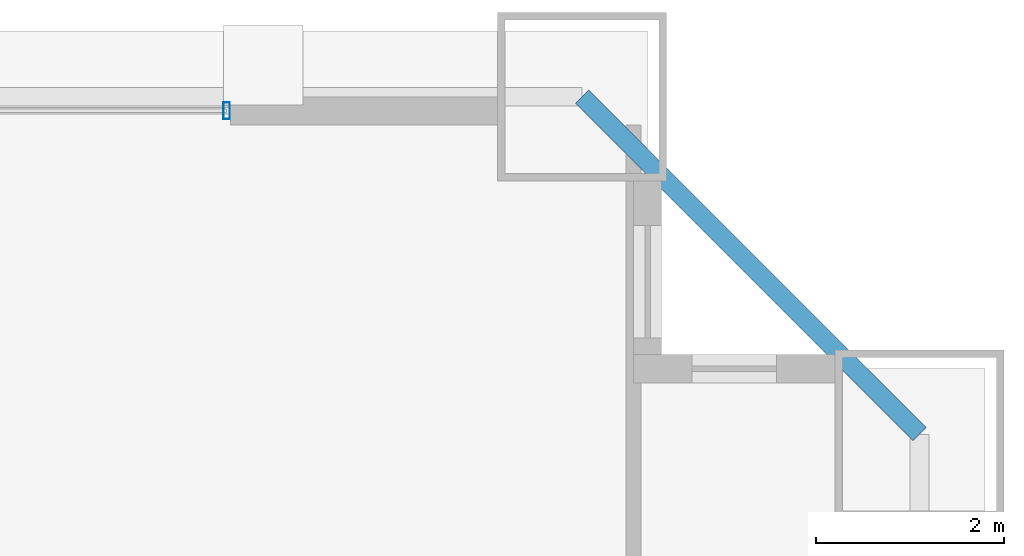
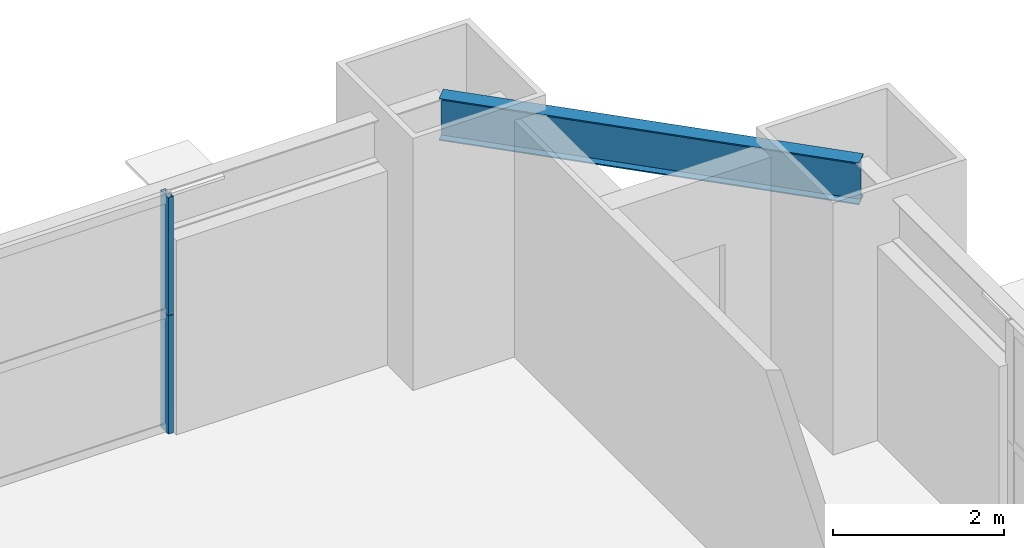
# One storey, part 37 of 43: 2 members, 1 beam, 1 element without a shape of its own.
"""IFC4 building model written with IfcOpenShell, lengths in metres."""

from ifc_helpers import new_model, si_unit, direction, frame, origin, origin_2d, place, context, subcontext, project, spatial, hollow_rectangle, i_section, extrude, source, transform, mapped, material, layer, layer_set, material_profile, profile_set, type_object, element, aggregate, save


model = new_model("IFC4")

# Units and contexts
model_context = context("Model", 3, precision=1e-05, world=origin(), true_north=direction((0.0, 1.0)))
body_context = subcontext(model_context, "Body", "Model", "MODEL_VIEW")
ifc_project = project(units=[si_unit("LENGTHUNIT", "METRE"), si_unit("AREAUNIT", "SQUARE_METRE"), si_unit("VOLUMEUNIT", "CUBIC_METRE"), si_unit("PLANEANGLEUNIT", "RADIAN"), si_unit("MASSUNIT", "GRAM", prefix="KILO"), si_unit("THERMODYNAMICTEMPERATUREUNIT", "KELVIN"), si_unit("POWERUNIT", "WATT")], contexts=[model_context])

# Site, building, storey
site_placement = place(None, origin())
site = spatial("IfcSite", under=ifc_project, at=site_placement, CompositionType="ELEMENT")
building_placement = place(site_placement, origin())
building = spatial("IfcBuilding", under=site, at=building_placement, Name="Yuzanri Waterfront Tower", CompositionType="ELEMENT")
storey_placement = place(building_placement, frame((0.0, 0.0, 78.39990234375)))
storey = spatial("IfcBuildingStorey", under=building, at=storey_placement, Name="L20", CompositionType="ELEMENT", Elevation=78.39990234375)

# Beam
ifc_material_1 = material(Name="Steel Q355B", Category="steel")
ifc_material_profile_1 = material_profile(ifc_material_1, i_section(OverallWidth=0.199951171875, OverallDepth=0.60009765625, WebThickness=0.010986328125, FlangeThickness=0.01708984375, at=origin_2d()), Name="HN 600x200x11x17")
ifc_profile_set_1 = profile_set([ifc_material_profile_1], Name="Steel Q355B")
beam_type = type_object("IfcBeamType", Name="Perimeter Spandrel Q355B HN 600x200", PredefinedType="SPANDREL", material=ifc_profile_set_1)
shared_shape_1 = source(origin(), body_context, "Body", "SweptSolid", [
    extrude(i_section(OverallWidth=0.199951171875, OverallDepth=0.60009765625, WebThickness=0.010986328125, FlangeThickness=0.01708984375, at=origin_2d()), origin(), (0.0, 0.0, 1.0), 5.091064453125),
])
beam_placement = place(storey_placement, frame((62.10009765625, 47.300048828125, 3.080078125), z_axis=(-0.707130757816, 0.707082803744, 0.0), x_axis=(-0.707082803744, -0.707130757816, 0.0)))
element("IfcBeam", 1, at=beam_placement, inside=storey, type_object=beam_type, Name="L20 Perimeter Spandrel E3-N3", PredefinedType="SPANDREL", context=body_context, shape_type="MappedRepresentation", body=[
    mapped(shared_shape_1, transform((0.0, 0.0, 0.0), scale=1.0)),
])

# Curtain wall, members
ifc_material_2 = material(Name="Anodized Architectural Bronze", Category="metal")
ifc_layer = layer(ifc_material_2, 0.159912109375)
ifc_layer_set = layer_set([ifc_layer], Name="Anodized Architectural Bronze")
curtain_wall_type = type_object("IfcCurtainWallType", Name="Anodized Bronze Hotel Lower-Tier Recessed Unitized Curtain Wall 8100", PredefinedType="NOTDEFINED", material=ifc_layer_set)
curtain_wall_placement = place(storey_placement, origin())
curtain_wall = element("IfcCurtainWall", 2, at=curtain_wall_placement, inside=storey, type_object=curtain_wall_type, Name="L20 Curtain Wall CW-L20-NR", PredefinedType="NOTDEFINED")
ifc_material_3 = material(Name="Anodized Architectural Bronze", Category="metal")
ifc_material_profile_2 = material_profile(ifc_material_3, hollow_rectangle(XDim=0.070068359375, YDim=0.179931640625, WallThickness=0.00390625, at=origin_2d()), Name="CWM 70x180")
ifc_profile_set_2 = profile_set([ifc_material_profile_2], Name="Anodized Architectural Bronze")
member_type = type_object("IfcMemberType", Name="Anodized Bronze Standard Curtain-Wall Mullion 70x180", PredefinedType="MULLION", material=ifc_profile_set_2)
shared_shape_2 = source(origin(), body_context, "Body", "SweptSolid", [
    extrude(hollow_rectangle(XDim=0.070068359375, YDim=0.179931640625, WallThickness=0.00390625, at=origin_2d()), origin(), (0.0, 0.0, 1.0), 1.68798828125),
])
member_1_placement = place(storey_placement, frame((54.7099609375, 50.75, 0.0), z_axis=(0.0, 0.0, 1.0), x_axis=(1.0, 0.0, 0.0)))
member_1 = element("IfcMember", 3, at=member_1_placement, type_object=member_type, Name="CW-L20-NR Lower Mullion 02", PredefinedType="MULLION", context=body_context, shape_type="MappedRepresentation", body=[
    mapped(shared_shape_2, transform((0.0, 0.0, 0.0), scale=1.0)),
])
member_2_placement = place(storey_placement, frame((54.7099609375, 50.75, 1.692138671875), z_axis=(0.0, 0.0, 1.0), x_axis=(1.0, 0.0, 0.0)))
member_2 = element("IfcMember", 4, at=member_2_placement, type_object=member_type, Name="CW-L20-NR Upper Mullion 02", PredefinedType="MULLION", context=body_context, shape_type="MappedRepresentation", body=[
    mapped(shared_shape_2, transform((0.0, 0.0, 0.0), scale=1.0)),
])
aggregate(curtain_wall, [member_1, member_2])

save(model, "model.ifc")
